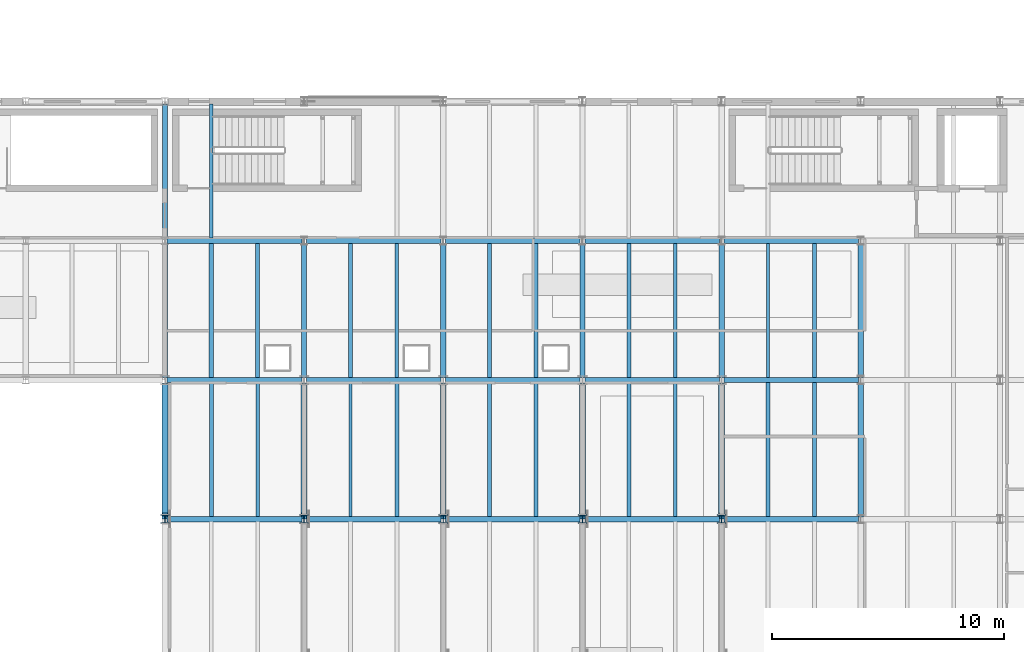
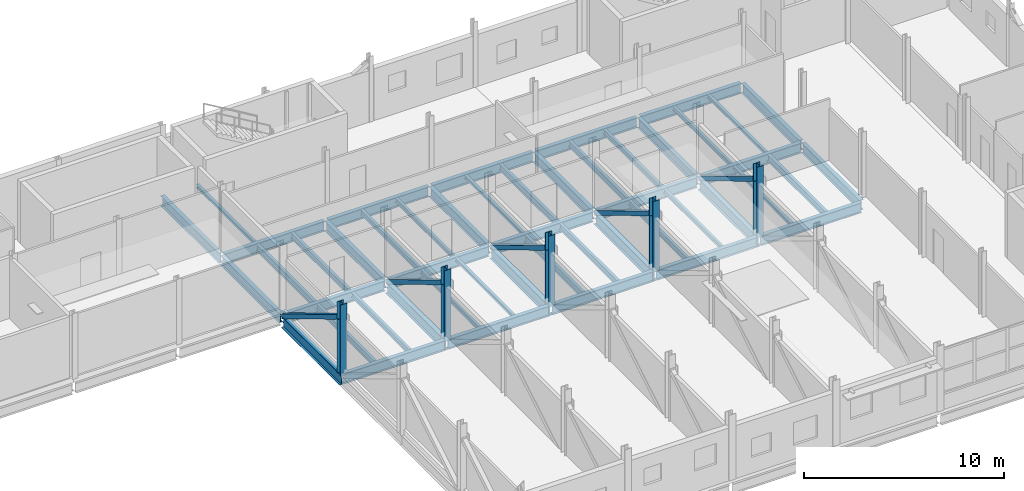
# One storey, part 26 of 92: 49 beams, 10 members.
"""IFC4 building model written with IfcOpenShell, lengths in metres."""

from ifc_helpers import new_model, si_unit, direction, frame, origin, origin_2d, place, context, subcontext, project, spatial, hollow_rectangle, i_section, extrude, material, material_profile, profile_set, type_object, element, save


model = new_model("IFC4")

# Units and contexts
model_context = context("Model", 3, precision=1e-05, world=origin(), true_north=direction((0.0, 1.0)))
body_context = subcontext(model_context, "Body", "Model", "MODEL_VIEW")
ifc_project = project(units=[si_unit("LENGTHUNIT", "METRE"), si_unit("AREAUNIT", "SQUARE_METRE"), si_unit("VOLUMEUNIT", "CUBIC_METRE"), si_unit("PLANEANGLEUNIT", "RADIAN"), si_unit("MASSUNIT", "GRAM", prefix="KILO")], contexts=[model_context])

# Site, building, storey
site_placement = place(None, origin())
site = spatial("IfcSite", under=ifc_project, at=site_placement, CompositionType="ELEMENT")
building_placement = place(site_placement, origin())
building = spatial("IfcBuilding", under=site, at=building_placement, Name="Siltcreek Boulevard Central Fire Station", CompositionType="ELEMENT")
storey_placement = place(building_placement, frame((0.0, 0.0, 6.0)))
storey = spatial("IfcBuildingStorey", under=building, at=storey_placement, Name="L02", CompositionType="ELEMENT", Elevation=6.0)

# Beams
ifc_material_1 = material(Name="Structural steel ASTM A992 Gr50", Category="steel")
ifc_material_profile_1 = material_profile(ifc_material_1, i_section(OverallWidth=0.22802734375, OverallDepth=0.60791015625, WebThickness=0.01123046875, FlangeThickness=0.017333984375, at=origin_2d()), Name="W610X113")
ifc_profile_set_1 = profile_set([ifc_material_profile_1], Name="Structural steel ASTM A992 Gr50")
beam_type_1 = type_object("IfcBeamType", Name="BM_W610X113", PredefinedType="BEAM", material=ifc_profile_set_1)
for number, where, z_axis, x_axis, name in (
    (1, (66.0, 42.10009765625, -0.6240234375), (0.0, 1.0, 0.0), (-1.0, 0.0, 0.0), "L02 primary steel girder GY-0042"),
    (2, (66.0, 48.10009765625, -0.6240234375), (0.0, 1.0, 0.0), (-1.0, 0.0, 0.0), "L02 primary steel girder GY-0043"),
    (3, (72.0, 42.10009765625, -0.6240234375), (0.0, 1.0, 0.0), (-1.0, 0.0, 0.0), "L02 primary steel girder GY-0093"),
    (4, (78.0, 42.10009765625, -0.6240234375), (0.0, 1.0, 0.0), (-1.0, 0.0, 0.0), "L02 primary steel girder GY-0094"),
    (5, (84.0, 42.10009765625, -0.6240234375), (0.0, 1.0, 0.0), (-1.0, 0.0, 0.0), "L02 primary steel girder GY-0096"),
    (6, (90.0, 42.10009765625, -0.6240234375), (0.0, 1.0, 0.0), (-1.0, 0.0, 0.0), "L02 primary steel girder GY-0098"),
    (7, (96.0, 36.10009765625, -0.6240234375), (0.0, 1.0, 0.0), (-1.0, 0.0, 0.0), "L02 primary steel girder GY-0103"),
    (8, (96.0, 42.10009765625, -0.6240234375), (0.0, 1.0, 0.0), (-1.0, 0.0, 0.0), "L02 primary steel girder GY-0104"),
):
    element("IfcBeam", number, at=place(storey_placement, frame(where, z_axis=z_axis, x_axis=x_axis)), inside=storey, type_object=beam_type_1, Name=name, PredefinedType="BEAM", context=body_context, shape_type="SweptSolid", body=[
        extrude(i_section(OverallWidth=0.22802734375, OverallDepth=0.60791015625, WebThickness=0.01123046875, FlangeThickness=0.017333984375, at=origin_2d()), origin(), (0.0, 0.0, 1.0), 5.7998046875),
    ])
ifc_material_profile_2 = material_profile(ifc_material_1, i_section(OverallWidth=0.22998046875, OverallDepth=0.616943359375, WebThickness=0.01318359375, FlangeThickness=0.022216796875, at=origin_2d()), Name="W610X140")
ifc_profile_set_2 = profile_set([ifc_material_profile_2], Name="Structural steel ASTM A992 Gr50")
beam_type_2 = type_object("IfcBeamType", Name="BM_W610X140", PredefinedType="BEAM", material=ifc_profile_set_2)
for number, where, z_axis, x_axis, name in (
    (9, (66.10009765625, 36.0, -0.62841796875), (1.0, 0.0, 0.0), (0.0, 1.0, 0.0), "L02 primary steel girder GX-0065"),
    (10, (72.10009765625, 36.0, -0.62841796875), (1.0, 0.0, 0.0), (0.0, 1.0, 0.0), "L02 primary steel girder GX-0066"),
    (11, (78.10009765625, 36.0, -0.62841796875), (1.0, 0.0, 0.0), (0.0, 1.0, 0.0), "L02 primary steel girder GX-0067"),
    (12, (84.10009765625, 36.0, -0.62841796875), (1.0, 0.0, 0.0), (0.0, 1.0, 0.0), "L02 primary steel girder GX-0068"),
    (13, (90.10009765625, 36.0, -0.62841796875), (1.0, 0.0, 0.0), (0.0, 1.0, 0.0), "L02 primary steel girder GX-0069"),
    (14, (66.10009765625, 42.0, -0.62841796875), (1.0, 0.0, 0.0), (0.0, 1.0, 0.0), "L02 primary steel girder GX-0072"),
    (15, (72.10009765625, 42.0, -0.62841796875), (1.0, 0.0, 0.0), (0.0, 1.0, 0.0), "L02 primary steel girder GX-0073"),
    (16, (78.10009765625, 42.0, -0.62841796875), (1.0, 0.0, 0.0), (0.0, 1.0, 0.0), "L02 primary steel girder GX-0074"),
    (17, (84.10009765625, 42.0, -0.62841796875), (1.0, 0.0, 0.0), (0.0, 1.0, 0.0), "L02 primary steel girder GX-0075"),
    (18, (90.10009765625, 42.0, -0.62841796875), (1.0, 0.0, 0.0), (0.0, 1.0, 0.0), "L02 primary steel girder GX-0076"),
    (19, (66.10009765625, 48.0, -0.62841796875), (1.0, 0.0, 0.0), (0.0, 1.0, 0.0), "L02 primary steel girder GX-0079"),
    (20, (72.10009765625, 48.0, -0.62841796875), (1.0, 0.0, 0.0), (0.0, 1.0, 0.0), "L02 primary steel girder GX-0080"),
    (21, (78.10009765625, 48.0, -0.62841796875), (1.0, 0.0, 0.0), (0.0, 1.0, 0.0), "L02 primary steel girder GX-0081"),
    (22, (84.10009765625, 48.0, -0.62841796875), (1.0, 0.0, 0.0), (0.0, 1.0, 0.0), "L02 primary steel girder GX-0082"),
    (23, (90.10009765625, 48.0, -0.62841796875), (1.0, 0.0, 0.0), (0.0, 1.0, 0.0), "L02 primary steel girder GX-0083"),
):
    element("IfcBeam", number, at=place(storey_placement, frame(where, z_axis=z_axis, x_axis=x_axis)), inside=storey, type_object=beam_type_2, Name=name, PredefinedType="BEAM", context=body_context, shape_type="SweptSolid", body=[
        extrude(i_section(OverallWidth=0.22998046875, OverallDepth=0.616943359375, WebThickness=0.01318359375, FlangeThickness=0.022216796875, at=origin_2d()), origin(), (0.0, 0.0, 1.0), 5.7998046875),
    ])
ifc_material_profile_3 = material_profile(ifc_material_1, i_section(OverallWidth=0.256103515625, OverallDepth=0.693115234375, WebThickness=0.014404296875, FlangeThickness=0.023681640625, at=origin_2d()), Name="W690X170")
ifc_profile_set_3 = profile_set([ifc_material_profile_3], Name="Structural steel ASTM A992 Gr50")
beam_type_3 = type_object("IfcBeamType", Name="BM_W690X170", PredefinedType="BEAM", material=ifc_profile_set_3)
for number, where, z_axis, x_axis, name in (
    (24, (66.0, 36.001953125, -0.66650390625), (0.0, 1.0, 0.0), (-1.0, 0.0, 0.0), "Pratt transfer truss TT1 bottom chord panel 4"),
    (25, (72.0, 36.001953125, -0.66650390625), (0.0, 1.0, 0.0), (-1.0, 0.0, 0.0), "Pratt transfer truss TT2 bottom chord panel 4"),
    (26, (78.0, 36.001953125, -0.66650390625), (0.0, 1.0, 0.0), (-1.0, 0.0, 0.0), "Pratt transfer truss TT3 bottom chord panel 4"),
    (27, (84.0, 36.001953125, -0.66650390625), (0.0, 1.0, 0.0), (-1.0, 0.0, 0.0), "Pratt transfer truss TT4 bottom chord panel 4"),
    (28, (90.0, 36.001953125, -0.66650390625), (0.0, 1.0, 0.0), (-1.0, 0.0, 0.0), "Pratt transfer truss TT5 bottom chord panel 4"),
):
    element("IfcBeam", number, at=place(storey_placement, frame(where, z_axis=z_axis, x_axis=x_axis)), inside=storey, type_object=beam_type_3, Name=name, PredefinedType="BEAM", context=body_context, shape_type="SweptSolid", body=[
        extrude(i_section(OverallWidth=0.256103515625, OverallDepth=0.693115234375, WebThickness=0.014404296875, FlangeThickness=0.023681640625, at=origin_2d()), origin(), (0.0, 0.0, 1.0), 5.81298828125),
    ])

# Members
ifc_material_2 = material(Name="Structural steel ASTM A500 GrC", Category="steel")
ifc_material_profile_4 = material_profile(ifc_material_2, hollow_rectangle(XDim=0.25, YDim=0.25, WallThickness=0.012451171875, at=origin_2d()), Name="HSS250X250X12.5")
ifc_profile_set_4 = profile_set([ifc_material_profile_4], Name="Structural steel ASTM A500 GrC")
member_type_1 = type_object("IfcMemberType", Name="BR_HSS250_12", PredefinedType="BRACE", material=ifc_profile_set_4)
for number, where, z_axis, x_axis, name in (
    (29, (66.0, 41.800048828125, -0.324462890625), (0.0, -0.857769965344, 0.514033740676), (1.0, 0.0, 0.0), "Pratt transfer truss TT1 diagonal web 4"),
    (30, (72.0, 41.800048828125, -0.324462890625), (0.0, -0.857769965344, 0.514033740676), (1.0, 0.0, 0.0), "Pratt transfer truss TT2 diagonal web 4"),
    (31, (78.0, 41.800048828125, -0.324462890625), (0.0, -0.857769965344, 0.514033740676), (1.0, 0.0, 0.0), "Pratt transfer truss TT3 diagonal web 4"),
    (32, (84.0, 41.800048828125, -0.324462890625), (0.0, -0.857769965344, 0.514033740676), (1.0, 0.0, 0.0), "Pratt transfer truss TT4 diagonal web 4"),
    (33, (90.0, 41.800048828125, -0.324462890625), (0.0, -0.857769965344, 0.514033740676), (1.0, 0.0, 0.0), "Pratt transfer truss TT5 diagonal web 4"),
):
    element("IfcMember", number, at=place(storey_placement, frame(where, z_axis=z_axis, x_axis=x_axis)), inside=storey, type_object=member_type_1, Name=name, PredefinedType="BRACE", context=body_context, shape_type="SweptSolid", body=[
        extrude(hollow_rectangle(XDim=0.25, YDim=0.25, WallThickness=0.012451171875, at=origin_2d()), origin(), (0.0, 0.0, 1.0), 6.528564453125),
    ])
ifc_material_profile_5 = material_profile(ifc_material_1, i_section(OverallWidth=0.3740234375, OverallDepth=0.3720703125, WebThickness=0.016357421875, FlangeThickness=0.026123046875, at=origin_2d()), Name="W360X196")
ifc_profile_set_5 = profile_set([ifc_material_profile_5], Name="Structural steel ASTM A992 Gr50")
member_type_2 = type_object("IfcMemberType", Name="CH_W360X196", PredefinedType="CHORD", material=ifc_profile_set_5)
for number, where, z_axis, x_axis, name in (
    (34, (66.0, 36.0, -0.324462890625), (0.0, 0.0, 1.0), (1.0, 0.0, 0.0), "Pratt transfer truss TT1 vertical post 3"),
    (35, (72.0, 36.0, -0.324462890625), (0.0, 0.0, 1.0), (1.0, 0.0, 0.0), "Pratt transfer truss TT2 vertical post 3"),
    (36, (78.0, 36.0, -0.324462890625), (0.0, 0.0, 1.0), (1.0, 0.0, 0.0), "Pratt transfer truss TT3 vertical post 3"),
    (37, (84.0, 36.0, -0.324462890625), (0.0, 0.0, 1.0), (1.0, 0.0, 0.0), "Pratt transfer truss TT4 vertical post 3"),
    (38, (90.0, 36.0, -0.324462890625), (0.0, 0.0, 1.0), (1.0, 0.0, 0.0), "Pratt transfer truss TT5 vertical post 3"),
):
    element("IfcMember", number, at=place(storey_placement, frame(where, z_axis=z_axis, x_axis=x_axis)), inside=storey, type_object=member_type_2, Name=name, PredefinedType="CHORD", context=body_context, shape_type="SweptSolid", body=[
        extrude(i_section(OverallWidth=0.3740234375, OverallDepth=0.3720703125, WebThickness=0.016357421875, FlangeThickness=0.026123046875, at=origin_2d()), origin(), (0.0, 0.0, 1.0), 4.324462890625),
    ])

# Beams
ifc_material_profile_6 = material_profile(ifc_material_1, i_section(OverallWidth=0.1650390625, OverallDepth=0.200927734375, WebThickness=0.006103515625, FlangeThickness=0.01025390625, at=origin_2d()), Name="W200X36")
ifc_profile_set_6 = profile_set([ifc_material_profile_6], Name="Structural steel ASTM A992 Gr50")
beam_type_4 = type_object("IfcBeamType", Name="JST_W200X36", PredefinedType="JOIST", material=ifc_profile_set_6)
for number, where, z_axis, x_axis, name in (
    (39, (76.0, 36.113037109375, -0.42041015625), (0.0, 1.0, 0.0), (-1.0, 0.0, 0.0), "L02 secondary steel floor joist 0072"),
    (40, (92.0, 36.113037109375, -0.42041015625), (0.0, 1.0, 0.0), (-1.0, 0.0, 0.0), "L02 secondary steel floor joist 0077"),
    (41, (80.0, 42.113037109375, -0.42041015625), (0.0, 1.0, 0.0), (-1.0, 0.0, 0.0), "L02 secondary steel floor joist 0087"),
    (42, (94.0, 42.113037109375, -0.42041015625), (0.0, 1.0, 0.0), (-1.0, 0.0, 0.0), "L02 secondary steel floor joist 0092"),
    (43, (68.0, 48.113037109375, -0.42041015625), (0.0, 1.0, 0.0), (-1.0, 0.0, 0.0), "L02 secondary steel floor joist 0097"),
):
    element("IfcBeam", number, at=place(storey_placement, frame(where, z_axis=z_axis, x_axis=x_axis)), inside=storey, type_object=beam_type_4, Name=name, PredefinedType="JOIST", context=body_context, shape_type="SweptSolid", body=[
        extrude(i_section(OverallWidth=0.1650390625, OverallDepth=0.200927734375, WebThickness=0.006103515625, FlangeThickness=0.01025390625, at=origin_2d()), origin(), (0.0, 0.0, 1.0), 5.77392578125),
    ])
ifc_material_profile_7 = material_profile(ifc_material_1, i_section(OverallWidth=0.14697265625, OverallDepth=0.261962890625, WebThickness=0.006591796875, FlangeThickness=0.01123046875, at=origin_2d()), Name="W250X39")
ifc_profile_set_7 = profile_set([ifc_material_profile_7], Name="Structural steel ASTM A992 Gr50")
beam_type_5 = type_object("IfcBeamType", Name="JST_W250X39", PredefinedType="JOIST", material=ifc_profile_set_7)
for number, where, z_axis, x_axis, name in (
    (44, (74.0, 36.113037109375, -0.450927734375), (0.0, 1.0, 0.0), (-1.0, 0.0, 0.0), "L02 secondary steel floor joist 0071"),
    (45, (88.0, 36.113037109375, -0.450927734375), (0.0, 1.0, 0.0), (-1.0, 0.0, 0.0), "L02 secondary steel floor joist 0076"),
    (46, (76.0, 42.113037109375, -0.450927734375), (0.0, 1.0, 0.0), (-1.0, 0.0, 0.0), "L02 secondary steel floor joist 0086"),
    (47, (92.0, 42.113037109375, -0.450927734375), (0.0, 1.0, 0.0), (-1.0, 0.0, 0.0), "L02 secondary steel floor joist 0091"),
):
    element("IfcBeam", number, at=place(storey_placement, frame(where, z_axis=z_axis, x_axis=x_axis)), inside=storey, type_object=beam_type_5, Name=name, PredefinedType="JOIST", context=body_context, shape_type="SweptSolid", body=[
        extrude(i_section(OverallWidth=0.14697265625, OverallDepth=0.261962890625, WebThickness=0.006591796875, FlangeThickness=0.01123046875, at=origin_2d()), origin(), (0.0, 0.0, 1.0), 5.77392578125),
    ])
ifc_material_profile_8 = material_profile(ifc_material_1, i_section(OverallWidth=0.166015625, OverallDepth=0.31298828125, WebThickness=0.006591796875, FlangeThickness=0.01123046875, at=origin_2d()), Name="W310X45")
ifc_profile_set_8 = profile_set([ifc_material_profile_8], Name="Structural steel ASTM A992 Gr50")
beam_type_6 = type_object("IfcBeamType", Name="JST_W310X45", PredefinedType="JOIST", material=ifc_profile_set_8)
for number, where, z_axis, x_axis, name in (
    (48, (70.0, 36.113037109375, -0.4765625), (0.0, 1.0, 0.0), (-1.0, 0.0, 0.0), "L02 secondary steel floor joist 0070"),
    (49, (86.0, 36.113037109375, -0.4765625), (0.0, 1.0, 0.0), (-1.0, 0.0, 0.0), "L02 secondary steel floor joist 0075"),
    (50, (74.0, 42.113037109375, -0.4765625), (0.0, 1.0, 0.0), (-1.0, 0.0, 0.0), "L02 secondary steel floor joist 0085"),
    (51, (88.0, 42.113037109375, -0.4765625), (0.0, 1.0, 0.0), (-1.0, 0.0, 0.0), "L02 secondary steel floor joist 0090"),
):
    element("IfcBeam", number, at=place(storey_placement, frame(where, z_axis=z_axis, x_axis=x_axis)), inside=storey, type_object=beam_type_6, Name=name, PredefinedType="JOIST", context=body_context, shape_type="SweptSolid", body=[
        extrude(i_section(OverallWidth=0.166015625, OverallDepth=0.31298828125, WebThickness=0.006591796875, FlangeThickness=0.01123046875, at=origin_2d()), origin(), (0.0, 0.0, 1.0), 5.77392578125),
    ])
ifc_material_profile_9 = material_profile(ifc_material_1, i_section(OverallWidth=0.172119140625, OverallDepth=0.35791015625, WebThickness=0.0078125, FlangeThickness=0.01318359375, at=origin_2d()), Name="W360X57")
ifc_profile_set_9 = profile_set([ifc_material_profile_9], Name="Structural steel ASTM A992 Gr50")
beam_type_7 = type_object("IfcBeamType", Name="JST_W360X57", PredefinedType="JOIST", material=ifc_profile_set_9)
for number, where, z_axis, x_axis, name in (
    (52, (68.0, 36.113037109375, -0.4990234375), (0.0, 1.0, 0.0), (-1.0, 0.0, 0.0), "L02 secondary steel floor joist 0069"),
    (53, (82.0, 36.113037109375, -0.4990234375), (0.0, 1.0, 0.0), (-1.0, 0.0, 0.0), "L02 secondary steel floor joist 0074"),
    (54, (70.0, 42.113037109375, -0.4990234375), (0.0, 1.0, 0.0), (-1.0, 0.0, 0.0), "L02 secondary steel floor joist 0084"),
    (55, (86.0, 42.113037109375, -0.4990234375), (0.0, 1.0, 0.0), (-1.0, 0.0, 0.0), "L02 secondary steel floor joist 0089"),
):
    element("IfcBeam", number, at=place(storey_placement, frame(where, z_axis=z_axis, x_axis=x_axis)), inside=storey, type_object=beam_type_7, Name=name, PredefinedType="JOIST", context=body_context, shape_type="SweptSolid", body=[
        extrude(i_section(OverallWidth=0.172119140625, OverallDepth=0.35791015625, WebThickness=0.0078125, FlangeThickness=0.01318359375, at=origin_2d()), origin(), (0.0, 0.0, 1.0), 5.77392578125),
    ])
ifc_material_profile_10 = material_profile(ifc_material_1, i_section(OverallWidth=0.177001953125, OverallDepth=0.403076171875, WebThickness=0.007568359375, FlangeThickness=0.010986328125, at=origin_2d()), Name="W410X53")
ifc_profile_set_10 = profile_set([ifc_material_profile_10], Name="Structural steel ASTM A992 Gr50")
beam_type_8 = type_object("IfcBeamType", Name="JST_W410X53", PredefinedType="JOIST", material=ifc_profile_set_10)
for number, where, z_axis, x_axis, name in (
    (56, (80.0, 36.113037109375, -0.521484375), (0.0, 1.0, 0.0), (-1.0, 0.0, 0.0), "L02 secondary steel floor joist 0073"),
    (57, (94.0, 36.113037109375, -0.521484375), (0.0, 1.0, 0.0), (-1.0, 0.0, 0.0), "L02 secondary steel floor joist 0078"),
    (58, (68.0, 42.113037109375, -0.521484375), (0.0, 1.0, 0.0), (-1.0, 0.0, 0.0), "L02 secondary steel floor joist 0083"),
    (59, (82.0, 42.113037109375, -0.521484375), (0.0, 1.0, 0.0), (-1.0, 0.0, 0.0), "L02 secondary steel floor joist 0088"),
):
    element("IfcBeam", number, at=place(storey_placement, frame(where, z_axis=z_axis, x_axis=x_axis)), inside=storey, type_object=beam_type_8, Name=name, PredefinedType="JOIST", context=body_context, shape_type="SweptSolid", body=[
        extrude(i_section(OverallWidth=0.177001953125, OverallDepth=0.403076171875, WebThickness=0.007568359375, FlangeThickness=0.010986328125, at=origin_2d()), origin(), (0.0, 0.0, 1.0), 5.77392578125),
    ])

save(model, "model.ifc")
